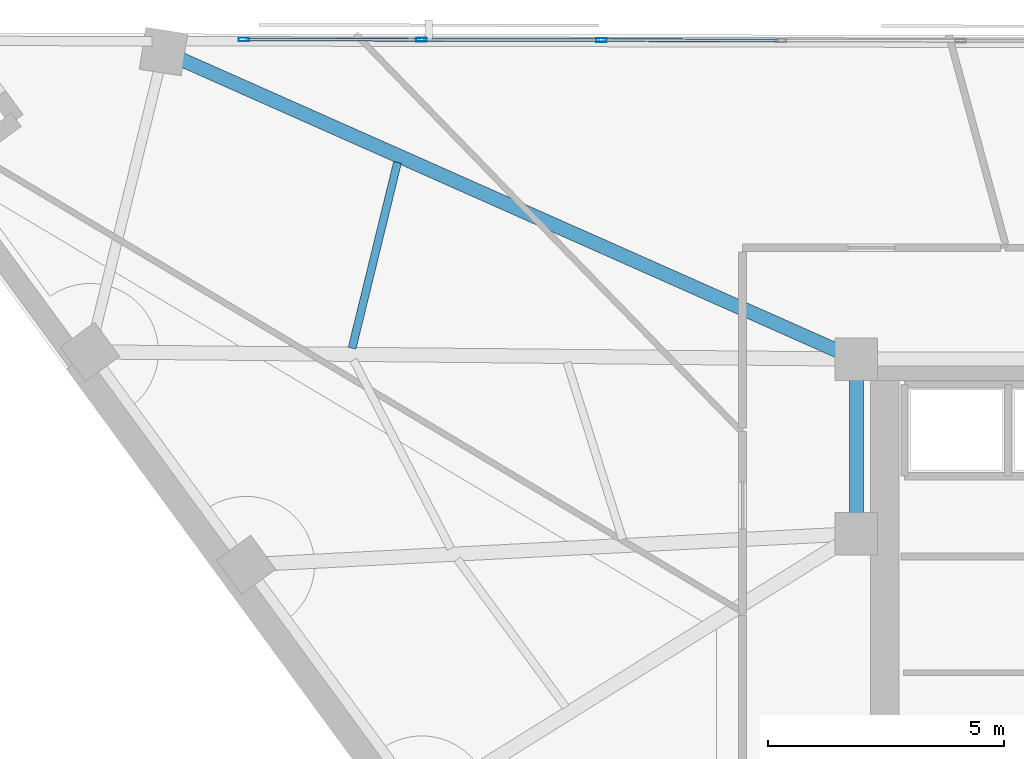
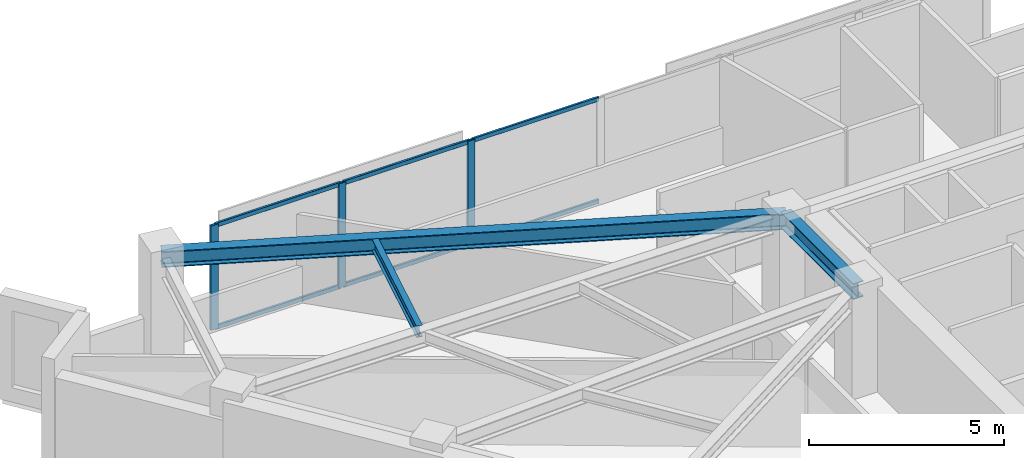
# One storey, part 2 of 14: 9 members, 3 beams, 1 element without a shape of its own.
"""IFC4 building model written with IfcOpenShell, lengths in metres."""

import ifcopenshell
import ifcopenshell.guid

model = None  # the IFC model being written
_history = None  # IfcOwnerHistory: only IFC2X3 demands one
_inside = {}  # id of a spatial element -> (the spatial element, [elements in it])
_under = {}  # id of a project, library or spatial element -> (it, [spatial elements below it])
_declared = {}  # id of a project -> (the project, [libraries it declares])
_typed = {}  # id of a type object -> (the type object, [elements of that type])
_made_of = {}  # id of a material, layer set ... -> (it, [elements and type objects made of it])


def new_model(schema):
    """Start an empty IFC model of exactly this schema.

    Asked for "IFC4X3", IfcOpenShell would pick the latest addendum, in which some entities
    have other attributes; the version numbers below select the first issue.
    IFC2X3 requires an IfcOwnerHistory on every rooted entity: one is made here for all.
    """
    global model, _history
    if schema == "IFC4X3":
        model = ifcopenshell.file(schema_version=(4, 3, 0, 0))
    else:
        model = ifcopenshell.file(schema=schema)
    _inside.clear()
    _under.clear()
    _declared.clear()
    _typed.clear()
    _made_of.clear()
    _history = None
    if model.schema == "IFC2X3":
        org = make("IfcOrganization", Name="unknown")
        user = make(
            "IfcPersonAndOrganization",
            ThePerson=make("IfcPerson", FamilyName="unknown"),
            TheOrganization=org,
        )
        app = make(
            "IfcApplication",
            ApplicationDeveloper=org,
            Version="unknown",
            ApplicationFullName="unknown",
            ApplicationIdentifier="unknown",
        )
        _history = make(
            "IfcOwnerHistory",
            OwningUser=user,
            OwningApplication=app,
            ChangeAction="ADDED",
            CreationDate=0,
        )
    return model


def make(cls, **values):
    """One entity of the class cls with the attributes given. An attribute that is None is left unset."""
    return model.create_entity(
        cls, **{name: value for name, value in values.items() if value is not None}
    )


def rooted(cls, **values):
    """An entity with a GlobalId (a new one), such as an element, a storey or a relation."""
    return make(cls, GlobalId=ifcopenshell.guid.new(), OwnerHistory=_history, **values)


def si_unit(unit_type, name, prefix=None):
    """IfcSIUnit, for example si_unit("LENGTHUNIT", "METRE", prefix="MILLI")."""
    return make("IfcSIUnit", UnitType=unit_type, Prefix=prefix, Name=name)


def assignment(units):
    """IfcUnitAssignment: the units of a project."""
    return None if units is None else make("IfcUnitAssignment", Units=units)


def point(xyz):
    """IfcCartesianPoint."""
    return None if xyz is None else make("IfcCartesianPoint", Coordinates=xyz)


def direction(xyz):
    """IfcDirection."""
    return None if xyz is None else make("IfcDirection", DirectionRatios=xyz)


def frame(location, z_axis=None, x_axis=None):
    """IfcAxis2Placement3D, a coordinate frame: its origin and axes. An axis left out is left unset."""
    return make(
        "IfcAxis2Placement3D",
        Location=point(location),
        Axis=direction(z_axis),
        RefDirection=direction(x_axis),
    )


def frame_2d(location, x_axis=None):
    """IfcAxis2Placement2D, a coordinate frame in the plane: its origin and x axis."""
    return make(
        "IfcAxis2Placement2D", Location=point(location), RefDirection=direction(x_axis)
    )


def origin():
    """The frame at (0, 0, 0) with its axes left unset."""
    return frame((0.0, 0.0, 0.0))


def origin_2d():
    """The frame at (0, 0) in the plane with its x axis left unset."""
    return frame_2d((0.0, 0.0))


def place(relative_to, where):
    """IfcLocalPlacement: puts the frame where relative to a parent placement (None: the world)."""
    return make(
        "IfcLocalPlacement", PlacementRelTo=relative_to, RelativePlacement=where
    )


def context(
    kind, dimensions, precision=None, world=None, true_north=None, identifier=None
):
    """IfcGeometricRepresentationContext, for example the 3D "Model" context."""
    return make(
        "IfcGeometricRepresentationContext",
        ContextIdentifier=identifier,
        ContextType=kind,
        CoordinateSpaceDimension=dimensions,
        Precision=precision,
        WorldCoordinateSystem=world,
        TrueNorth=true_north,
    )


def subcontext(parent, identifier, kind, view, scale=None):
    """IfcGeometricRepresentationSubContext, for example "Body" below "Model"."""
    return make(
        "IfcGeometricRepresentationSubContext",
        ContextIdentifier=identifier,
        ContextType=kind,
        ParentContext=parent,
        TargetScale=scale,
        TargetView=view,
    )


def project(units=None, contexts=None):
    """IfcProject with its units and contexts."""
    return rooted(
        "IfcProject",
        Name="project",
        RepresentationContexts=contexts,
        UnitsInContext=assignment(units),
    )


def spatial(cls, under=None, at=None, **own):
    """A site, building, storey or space (cls), placed at a placement, below another one or the project."""
    s = rooted(cls, ObjectPlacement=at, **own)
    if under is not None:
        _under.setdefault(under.id(), (under, []))[1].append(s)
    return s


def profile(cls, at=None, kind="AREA", **sizes):
    """A parametric profile (cls). Its sizes go by their IFC names, for example OverallWidth=200.0."""
    return make(cls, ProfileType=kind, Position=at, **sizes)


def hollow_rectangle(**sizes):
    """IfcRectangleHollowProfileDef."""
    return profile("IfcRectangleHollowProfileDef", **sizes)


def i_section(**sizes):
    """IfcIShapeProfileDef."""
    return profile("IfcIShapeProfileDef", **sizes)


def extrude(swept, where, along, depth):
    """IfcExtrudedAreaSolid: the profile swept, set in the frame where, extruded along a direction by depth."""
    return make(
        "IfcExtrudedAreaSolid",
        SweptArea=swept,
        Position=where,
        ExtrudedDirection=direction(along),
        Depth=depth,
    )


def shape(context_of_items, identifier, shape_type, items):
    """IfcShapeRepresentation: the items that make up one representation, for example the "Body"."""
    return make(
        "IfcShapeRepresentation",
        ContextOfItems=context_of_items,
        RepresentationIdentifier=identifier,
        RepresentationType=shape_type,
        Items=items,
    )


def material(Name=None, Category=None):
    """IfcMaterial."""
    return make("IfcMaterial", Name=Name, Category=Category)


def material_profile(
    of_material, cross_section, Name=None, Category=None, Priority=None
):
    """IfcMaterialProfile: a cross section and its material."""
    return make(
        "IfcMaterialProfile",
        Name=Name,
        Material=of_material,
        Profile=cross_section,
        Priority=Priority,
        Category=Category,
    )


def profile_set(profiles, Name=None, composite=None):
    """IfcMaterialProfileSet."""
    return make(
        "IfcMaterialProfileSet",
        Name=Name,
        MaterialProfiles=profiles,
        CompositeProfile=composite,
    )


def made_of(thing, what):
    """Note that an element or type object is made of a material, layer set ...; save() writes the relation."""
    if what is not None:
        _made_of.setdefault(what.id(), (what, []))[1].append(thing)
    return thing


def type_object(cls, material=None, **own):
    """A type object (cls), such as IfcWallType, which elements share."""
    return made_of(rooted(cls, **own), material)


def element(
    cls,
    number,
    at=None,
    inside=None,
    cuts=None,
    type_object=None,
    material=None,
    context=None,
    identifier="Body",
    shape_type=None,
    held_by="IfcProductDefinitionShape",
    body=None,
    shapes=None,
    **own,
):
    """One element of the class cls, such as IfcWall. Its Tag is "e" and its number.

    at: its placement. inside: the storey or other place that contains it. cuts: it is an
    opening in that element (IfcRelVoidsElement). A single representation is given by context,
    identifier, shape_type and body (its items); several are given by shapes. held_by: the class
    of the entity that holds the representations. save() writes the other relations.
    """
    e = rooted(cls, Tag="e%d" % number, ObjectPlacement=at, **own)
    if body is not None:
        shapes = [shape(context, identifier, shape_type, body)]
    if shapes is not None:
        e.Representation = make(held_by, Representations=shapes)
    if inside is not None:
        _inside.setdefault(inside.id(), (inside, []))[1].append(e)
    if cuts is not None:
        rooted(
            "IfcRelVoidsElement", RelatingBuildingElement=cuts, RelatedOpeningElement=e
        )
    if type_object is not None:
        _typed.setdefault(type_object.id(), (type_object, []))[1].append(e)
    return made_of(e, material)


def aggregate(whole, parts):
    """IfcRelAggregates: a whole, such as a stair, and the parts it consists of."""
    return rooted("IfcRelAggregates", RelatingObject=whole, RelatedObjects=parts)


def save(model, path):
    """Write the relations noted so far, then the file.

    IfcRelAggregates (storeys below a building ...), IfcRelContainedInSpatialStructure (elements
    in a storey), IfcRelDefinesByType, IfcRelAssociatesMaterial and IfcRelDeclares: one each for
    every whole, place, type object, material and project.
    """
    for whole, parts in _under.values():
        aggregate(whole, parts)
    for where, things in _inside.values():
        rooted(
            "IfcRelContainedInSpatialStructure",
            RelatedElements=things,
            RelatingStructure=where,
        )
    for kind, things in _typed.values():
        rooted("IfcRelDefinesByType", RelatedObjects=things, RelatingType=kind)
    for what, things in _made_of.values():
        rooted("IfcRelAssociatesMaterial", RelatedObjects=things, RelatingMaterial=what)
    for by, libraries in _declared.values():
        rooted("IfcRelDeclares", RelatingContext=by, RelatedDefinitions=libraries)
    model.write(path)


model = new_model("IFC4")

# Units and contexts
model_context = context("Model", 3, precision=1e-05, world=origin(), true_north=direction((0.0, 1.0)))
body_context = subcontext(model_context, "Body", "Model", "MODEL_VIEW")
ifc_project = project(units=[si_unit("LENGTHUNIT", "METRE"), si_unit("AREAUNIT", "SQUARE_METRE"), si_unit("VOLUMEUNIT", "CUBIC_METRE"), si_unit("PLANEANGLEUNIT", "RADIAN"), si_unit("MASSUNIT", "GRAM", prefix="KILO")], contexts=[model_context])

# Site, building, storey
site_placement = place(None, origin())
site = spatial("IfcSite", under=ifc_project, at=site_placement, CompositionType="ELEMENT")
building_placement = place(site_placement, origin())
building = spatial("IfcBuilding", under=site, at=building_placement, Name="Narakoshi Arena Tower", CompositionType="ELEMENT")
storey_placement = place(building_placement, frame((0.0, 0.0, 236.10009765625)))
storey = spatial("IfcBuildingStorey", under=building, at=storey_placement, Name="L64", CompositionType="ELEMENT", Elevation=236.10009765625)

# Beams
ifc_material_1 = material(Name="Structural steel S355J2", Category="steel")
ifc_material_profile_1 = material_profile(ifc_material_1, i_section(OverallWidth=0.300048828125, OverallDepth=0.5, WebThickness=0.014404296875, FlangeThickness=0.028076171875, FilletRadius=0.027099609375, at=origin_2d()), Name="HE500B")
ifc_profile_set_1 = profile_set([ifc_material_profile_1], Name="Structural steel S355J2")
beam_type_1 = type_object("IfcBeamType", Name="BM-PRI-500", PredefinedType="BEAM", material=ifc_profile_set_1)
beam_1_placement = place(storey_placement, frame((72.0, 56.5, 3.010009765625), z_axis=(-0.914014379094, 0.405681790089, 0.0), x_axis=(-0.405681790089, -0.914014379094, 0.0)))
element("IfcBeam", 1, at=beam_1_placement, inside=storey, type_object=beam_type_1, Name="L64 Radial Primary Floor Girder 08", PredefinedType="BEAM", context=body_context, shape_type="SweptSolid", body=[
    extrude(i_section(OverallWidth=0.300048828125, OverallDepth=0.5, WebThickness=0.014404296875, FlangeThickness=0.028076171875, FilletRadius=0.027099609375, at=origin_2d()), origin(), (0.0, 0.0, 1.0), 16.072998046875),
])
beam_2_placement = place(storey_placement, frame((72.0, 52.800048828125, 3.010009765625), z_axis=(0.0, 1.0, 0.0), x_axis=(-1.0, 0.0, 0.0)))
element("IfcBeam", 2, at=beam_2_placement, inside=storey, type_object=beam_type_1, Name="L64 Core Perimeter Frame Beam CC4-CC5", PredefinedType="BEAM", context=body_context, shape_type="SweptSolid", body=[
    extrude(i_section(OverallWidth=0.300048828125, OverallDepth=0.5, WebThickness=0.014404296875, FlangeThickness=0.028076171875, FilletRadius=0.027099609375, at=origin_2d()), origin(), (0.0, 0.0, 1.0), 3.699951171875),
])
ifc_material_profile_2 = material_profile(ifc_material_1, i_section(OverallWidth=0.169921875, OverallDepth=0.360107421875, WebThickness=0.008056640625, FlangeThickness=0.0126953125, FilletRadius=0.01806640625, at=origin_2d()), Name="IPE360")
ifc_profile_set_2 = profile_set([ifc_material_profile_2], Name="Structural steel S355J2")
beam_type_2 = type_object("IfcBeamType", Name="BM-SEC-360", PredefinedType="JOIST", material=ifc_profile_set_2)
beam_3_placement = place(storey_placement, frame((62.27197265625, 60.672607421875, 3.079833984375), z_axis=(-0.237419008325, -0.971407337056, 0.0), x_axis=(0.971407337056, -0.237419008325, 0.0)))
element("IfcBeam", 3, at=beam_3_placement, inside=storey, type_object=beam_type_2, Name="L64 Composite Secondary Floor Joist 07", PredefinedType="JOIST", context=body_context, shape_type="SweptSolid", body=[
    extrude(i_section(OverallWidth=0.169921875, OverallDepth=0.360107421875, WebThickness=0.008056640625, FlangeThickness=0.0126953125, FilletRadius=0.01806640625, at=origin_2d()), origin(), (0.0, 0.0, 1.0), 4.0556640625),
])

# Curtain wall, members
ifc_material_2 = material(Name="Anodised bronze aluminium 6063-T6", Category="aluminium")
curtain_wall_type = type_object("IfcCurtainWallType", Name="CW-HYP-HIGH", PredefinedType="NOTDEFINED", material=ifc_material_2)
curtain_wall_placement = place(storey_placement, origin())
curtain_wall = element("IfcCurtainWall", 4, at=curtain_wall_placement, inside=storey, type_object=curtain_wall_type, Name="L64 Folded Hypotenuse Curtain Wall 2-1", PredefinedType="NOTDEFINED")
ifc_material_profile_3 = material_profile(ifc_material_2, hollow_rectangle(XDim=0.080078125, YDim=0.219970703125, WallThickness=0.0048828125, OuterFilletRadius=0.006103515625, at=origin_2d()), Name="MUL220x80x5")
ifc_profile_set_3 = profile_set([ifc_material_profile_3], Name="Anodised bronze aluminium 6063-T6")
member_type_1 = type_object("IfcMemberType", Name="MEM-MUL-220", PredefinedType="MULLION", material=ifc_profile_set_3)
member_1_placement = place(storey_placement, frame((66.59326171875, 63.263671875, 0.0), z_axis=(0.0, 0.0, 1.0), x_axis=(-0.001819896899, -0.999998343986, 0.0)))
member_1 = element("IfcMember", 5, at=member_1_placement, type_object=member_type_1, Name="CW-03 mullion 5", PredefinedType="MULLION", context=body_context, shape_type="SweptSolid", body=[
    extrude(hollow_rectangle(XDim=0.080078125, YDim=0.219970703125, WallThickness=0.0048828125, OuterFilletRadius=0.006103515625, at=origin_2d()), origin(), (0.0, 0.0, 1.0), 3.260009765625),
])
member_2_placement = place(storey_placement, frame((62.78369140625, 63.270751953125, 0.0), z_axis=(0.0, 0.0, 1.0), x_axis=(-0.001819896899, -0.999998343986, 0.0)))
member_2 = element("IfcMember", 6, at=member_2_placement, type_object=member_type_1, Name="CW-03 mullion 6", PredefinedType="MULLION", context=body_context, shape_type="SweptSolid", body=[
    extrude(hollow_rectangle(XDim=0.080078125, YDim=0.219970703125, WallThickness=0.0048828125, OuterFilletRadius=0.006103515625, at=origin_2d()), origin(), (0.0, 0.0, 1.0), 3.260009765625),
])
member_3_placement = place(storey_placement, frame((59.013916015625, 63.277587890625, 0.0), z_axis=(0.0, 0.0, 1.0), x_axis=(-0.001819896899, -0.999998343986, 0.0)))
member_3 = element("IfcMember", 7, at=member_3_placement, type_object=member_type_1, Name="CW-03 mullion 7", PredefinedType="MULLION", context=body_context, shape_type="SweptSolid", body=[
    extrude(hollow_rectangle(XDim=0.080078125, YDim=0.219970703125, WallThickness=0.0048828125, OuterFilletRadius=0.006103515625, at=origin_2d()), origin(), (0.0, 0.0, 1.0), 3.260009765625),
])
ifc_material_profile_4 = material_profile(ifc_material_2, hollow_rectangle(XDim=0.06494140625, YDim=0.1298828125, WallThickness=0.00390625, OuterFilletRadius=0.0048828125, at=origin_2d()), Name="TRN130x65x4")
ifc_profile_set_4 = profile_set([ifc_material_profile_4], Name="Anodised bronze aluminium 6063-T6")
member_type_2 = type_object("IfcMemberType", Name="MEM-TRN-130", PredefinedType="USERDEFINED", material=ifc_profile_set_4)
member_4_placement = place(storey_placement, frame((70.363037109375, 63.2568359375, 0.032470703125), z_axis=(-0.999998320389, 0.001832817502, 0.0), x_axis=(-0.001832817502, -0.999998320389, 0.0)))
member_4 = element("IfcMember", 8, at=member_4_placement, type_object=member_type_2, Name="CW-03 transom 4.1", ObjectType="TRANSOM", PredefinedType="USERDEFINED", context=body_context, shape_type="SweptSolid", body=[
    extrude(hollow_rectangle(XDim=0.06494140625, YDim=0.1298828125, WallThickness=0.00390625, OuterFilletRadius=0.0048828125, at=origin_2d()), origin(), (0.0, 0.0, 1.0), 3.729736328125),
])
member_5_placement = place(storey_placement, frame((70.363037109375, 63.2568359375, 3.227294921875), z_axis=(-0.999998320389, 0.001832817502, 0.0), x_axis=(-0.001832817502, -0.999998320389, 0.0)))
member_5 = element("IfcMember", 9, at=member_5_placement, type_object=member_type_2, Name="CW-03 transom 4.2", ObjectType="TRANSOM", PredefinedType="USERDEFINED", context=body_context, shape_type="SweptSolid", body=[
    extrude(hollow_rectangle(XDim=0.06494140625, YDim=0.1298828125, WallThickness=0.00390625, OuterFilletRadius=0.0048828125, at=origin_2d()), origin(), (0.0, 0.0, 1.0), 3.729736328125),
])
member_6_placement = place(storey_placement, frame((66.553466796875, 63.263916015625, 0.032470703125), z_axis=(-0.999998438218, 0.001767359942, 0.0), x_axis=(-0.001767359942, -0.999998438218, 0.0)))
member_6 = element("IfcMember", 10, at=member_6_placement, type_object=member_type_2, Name="CW-03 transom 5.1", ObjectType="TRANSOM", PredefinedType="USERDEFINED", context=body_context, shape_type="SweptSolid", body=[
    extrude(hollow_rectangle(XDim=0.06494140625, YDim=0.1298828125, WallThickness=0.00390625, OuterFilletRadius=0.0048828125, at=origin_2d()), origin(), (0.0, 0.0, 1.0), 3.729736328125),
])
member_7_placement = place(storey_placement, frame((66.553466796875, 63.263916015625, 3.227294921875), z_axis=(-0.999998438218, 0.001767359942, 0.0), x_axis=(-0.001767359942, -0.999998438218, 0.0)))
member_7 = element("IfcMember", 11, at=member_7_placement, type_object=member_type_2, Name="CW-03 transom 5.2", ObjectType="TRANSOM", PredefinedType="USERDEFINED", context=body_context, shape_type="SweptSolid", body=[
    extrude(hollow_rectangle(XDim=0.06494140625, YDim=0.1298828125, WallThickness=0.00390625, OuterFilletRadius=0.0048828125, at=origin_2d()), origin(), (0.0, 0.0, 1.0), 3.729736328125),
])
member_8_placement = place(storey_placement, frame((62.74365234375, 63.270751953125, 0.032470703125), z_axis=(-0.999998404139, 0.001786538537, 0.0), x_axis=(-0.001786538537, -0.999998404139, 0.0)))
member_8 = element("IfcMember", 12, at=member_8_placement, type_object=member_type_2, Name="CW-03 transom 6.1", ObjectType="TRANSOM", PredefinedType="USERDEFINED", context=body_context, shape_type="SweptSolid", body=[
    extrude(hollow_rectangle(XDim=0.06494140625, YDim=0.1298828125, WallThickness=0.00390625, OuterFilletRadius=0.0048828125, at=origin_2d()), origin(), (0.0, 0.0, 1.0), 3.689697265625),
])
member_9_placement = place(storey_placement, frame((62.74365234375, 63.270751953125, 3.227294921875), z_axis=(-0.999998404139, 0.001786538537, 0.0), x_axis=(-0.001786538537, -0.999998404139, 0.0)))
member_9 = element("IfcMember", 13, at=member_9_placement, type_object=member_type_2, Name="CW-03 transom 6.2", ObjectType="TRANSOM", PredefinedType="USERDEFINED", context=body_context, shape_type="SweptSolid", body=[
    extrude(hollow_rectangle(XDim=0.06494140625, YDim=0.1298828125, WallThickness=0.00390625, OuterFilletRadius=0.0048828125, at=origin_2d()), origin(), (0.0, 0.0, 1.0), 3.689697265625),
])
aggregate(curtain_wall, [member_1, member_2, member_3, member_4, member_5, member_6, member_7, member_8, member_9])

save(model, "model.ifc")
